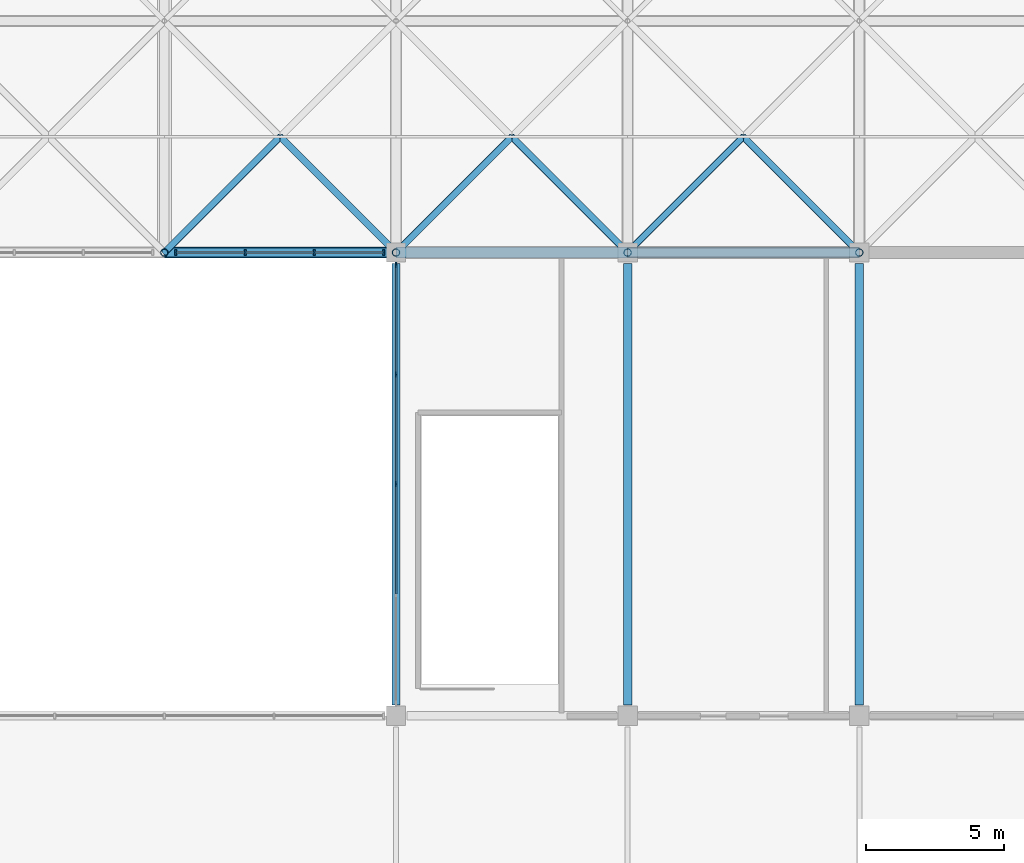
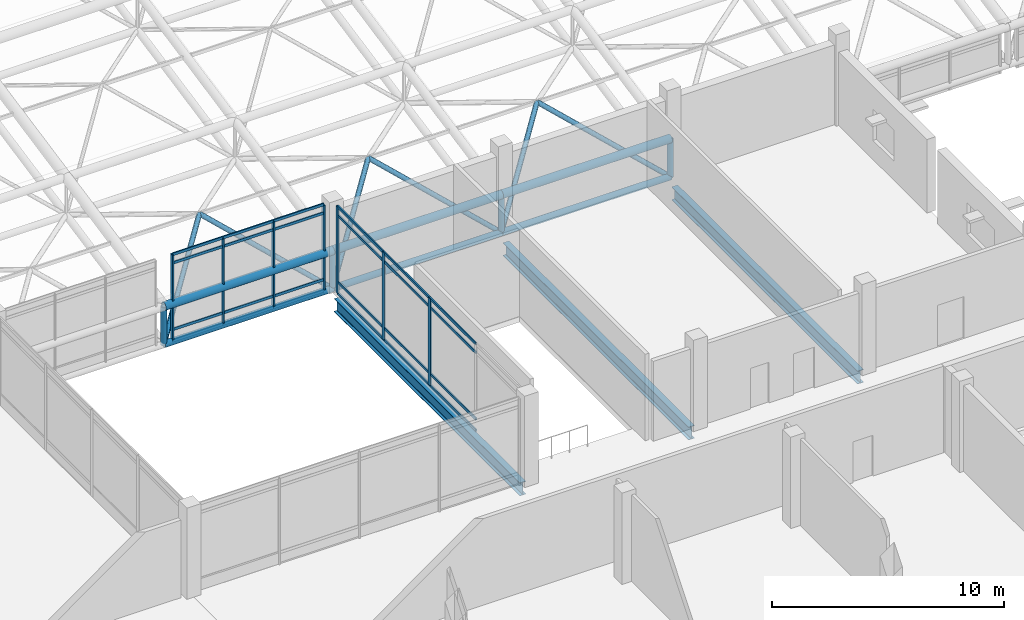
# One storey, part 26 of 110: 47 members, 3 beams, 2 elements without a shape of their own.
"""IFC4 building model written with IfcOpenShell, lengths in metres."""

import ifcopenshell
import ifcopenshell.guid

model = None  # the IFC model being written
_history = None  # IfcOwnerHistory: only IFC2X3 demands one
_inside = {}  # id of a spatial element -> (the spatial element, [elements in it])
_under = {}  # id of a project, library or spatial element -> (it, [spatial elements below it])
_declared = {}  # id of a project -> (the project, [libraries it declares])
_typed = {}  # id of a type object -> (the type object, [elements of that type])
_made_of = {}  # id of a material, layer set ... -> (it, [elements and type objects made of it])


def new_model(schema):
    """Start an empty IFC model of exactly this schema.

    Asked for "IFC4X3", IfcOpenShell would pick the latest addendum, in which some entities
    have other attributes; the version numbers below select the first issue.
    IFC2X3 requires an IfcOwnerHistory on every rooted entity: one is made here for all.
    """
    global model, _history
    if schema == "IFC4X3":
        model = ifcopenshell.file(schema_version=(4, 3, 0, 0))
    else:
        model = ifcopenshell.file(schema=schema)
    _inside.clear()
    _under.clear()
    _declared.clear()
    _typed.clear()
    _made_of.clear()
    _history = None
    if model.schema == "IFC2X3":
        org = make("IfcOrganization", Name="unknown")
        user = make(
            "IfcPersonAndOrganization",
            ThePerson=make("IfcPerson", FamilyName="unknown"),
            TheOrganization=org,
        )
        app = make(
            "IfcApplication",
            ApplicationDeveloper=org,
            Version="unknown",
            ApplicationFullName="unknown",
            ApplicationIdentifier="unknown",
        )
        _history = make(
            "IfcOwnerHistory",
            OwningUser=user,
            OwningApplication=app,
            ChangeAction="ADDED",
            CreationDate=0,
        )
    return model


def make(cls, **values):
    """One entity of the class cls with the attributes given. An attribute that is None is left unset."""
    return model.create_entity(
        cls, **{name: value for name, value in values.items() if value is not None}
    )


def rooted(cls, **values):
    """An entity with a GlobalId (a new one), such as an element, a storey or a relation."""
    return make(cls, GlobalId=ifcopenshell.guid.new(), OwnerHistory=_history, **values)


def si_unit(unit_type, name, prefix=None):
    """IfcSIUnit, for example si_unit("LENGTHUNIT", "METRE", prefix="MILLI")."""
    return make("IfcSIUnit", UnitType=unit_type, Prefix=prefix, Name=name)


def assignment(units):
    """IfcUnitAssignment: the units of a project."""
    return None if units is None else make("IfcUnitAssignment", Units=units)


def point(xyz):
    """IfcCartesianPoint."""
    return None if xyz is None else make("IfcCartesianPoint", Coordinates=xyz)


def direction(xyz):
    """IfcDirection."""
    return None if xyz is None else make("IfcDirection", DirectionRatios=xyz)


def frame(location, z_axis=None, x_axis=None):
    """IfcAxis2Placement3D, a coordinate frame: its origin and axes. An axis left out is left unset."""
    return make(
        "IfcAxis2Placement3D",
        Location=point(location),
        Axis=direction(z_axis),
        RefDirection=direction(x_axis),
    )


def frame_2d(location, x_axis=None):
    """IfcAxis2Placement2D, a coordinate frame in the plane: its origin and x axis."""
    return make(
        "IfcAxis2Placement2D", Location=point(location), RefDirection=direction(x_axis)
    )


def origin():
    """The frame at (0, 0, 0) with its axes left unset."""
    return frame((0.0, 0.0, 0.0))


def origin_2d():
    """The frame at (0, 0) in the plane with its x axis left unset."""
    return frame_2d((0.0, 0.0))


def place(relative_to, where):
    """IfcLocalPlacement: puts the frame where relative to a parent placement (None: the world)."""
    return make(
        "IfcLocalPlacement", PlacementRelTo=relative_to, RelativePlacement=where
    )


def context(
    kind, dimensions, precision=None, world=None, true_north=None, identifier=None
):
    """IfcGeometricRepresentationContext, for example the 3D "Model" context."""
    return make(
        "IfcGeometricRepresentationContext",
        ContextIdentifier=identifier,
        ContextType=kind,
        CoordinateSpaceDimension=dimensions,
        Precision=precision,
        WorldCoordinateSystem=world,
        TrueNorth=true_north,
    )


def subcontext(parent, identifier, kind, view, scale=None):
    """IfcGeometricRepresentationSubContext, for example "Body" below "Model"."""
    return make(
        "IfcGeometricRepresentationSubContext",
        ContextIdentifier=identifier,
        ContextType=kind,
        ParentContext=parent,
        TargetScale=scale,
        TargetView=view,
    )


def project(units=None, contexts=None):
    """IfcProject with its units and contexts."""
    return rooted(
        "IfcProject",
        Name="project",
        RepresentationContexts=contexts,
        UnitsInContext=assignment(units),
    )


def spatial(cls, under=None, at=None, **own):
    """A site, building, storey or space (cls), placed at a placement, below another one or the project."""
    s = rooted(cls, ObjectPlacement=at, **own)
    if under is not None:
        _under.setdefault(under.id(), (under, []))[1].append(s)
    return s


def profile(cls, at=None, kind="AREA", **sizes):
    """A parametric profile (cls). Its sizes go by their IFC names, for example OverallWidth=200.0."""
    return make(cls, ProfileType=kind, Position=at, **sizes)


def rectangle(**sizes):
    """IfcRectangleProfileDef."""
    return profile("IfcRectangleProfileDef", **sizes)


def hollow_circle(**sizes):
    """IfcCircleHollowProfileDef."""
    return profile("IfcCircleHollowProfileDef", **sizes)


def i_section(**sizes):
    """IfcIShapeProfileDef."""
    return profile("IfcIShapeProfileDef", **sizes)


def extrude(swept, where, along, depth):
    """IfcExtrudedAreaSolid: the profile swept, set in the frame where, extruded along a direction by depth."""
    return make(
        "IfcExtrudedAreaSolid",
        SweptArea=swept,
        Position=where,
        ExtrudedDirection=direction(along),
        Depth=depth,
    )


def shape(context_of_items, identifier, shape_type, items):
    """IfcShapeRepresentation: the items that make up one representation, for example the "Body"."""
    return make(
        "IfcShapeRepresentation",
        ContextOfItems=context_of_items,
        RepresentationIdentifier=identifier,
        RepresentationType=shape_type,
        Items=items,
    )


def material(Name=None, Category=None):
    """IfcMaterial."""
    return make("IfcMaterial", Name=Name, Category=Category)


def layer(
    of_material, thickness, ventilated=None, Name=None, Category=None, Priority=None
):
    """IfcMaterialLayer: one layer of a wall or slab, of a material (None: an air gap)."""
    return make(
        "IfcMaterialLayer",
        Material=of_material,
        LayerThickness=thickness,
        IsVentilated=ventilated,
        Name=Name,
        Category=Category,
        Priority=Priority,
    )


def layer_set(layers, Name=None):
    """IfcMaterialLayerSet."""
    return make("IfcMaterialLayerSet", MaterialLayers=layers, LayerSetName=Name)


def material_profile(
    of_material, cross_section, Name=None, Category=None, Priority=None
):
    """IfcMaterialProfile: a cross section and its material."""
    return make(
        "IfcMaterialProfile",
        Name=Name,
        Material=of_material,
        Profile=cross_section,
        Priority=Priority,
        Category=Category,
    )


def profile_set(profiles, Name=None, composite=None):
    """IfcMaterialProfileSet."""
    return make(
        "IfcMaterialProfileSet",
        Name=Name,
        MaterialProfiles=profiles,
        CompositeProfile=composite,
    )


def made_of(thing, what):
    """Note that an element or type object is made of a material, layer set ...; save() writes the relation."""
    if what is not None:
        _made_of.setdefault(what.id(), (what, []))[1].append(thing)
    return thing


def type_object(cls, material=None, **own):
    """A type object (cls), such as IfcWallType, which elements share."""
    return made_of(rooted(cls, **own), material)


def element(
    cls,
    number,
    at=None,
    inside=None,
    cuts=None,
    type_object=None,
    material=None,
    context=None,
    identifier="Body",
    shape_type=None,
    held_by="IfcProductDefinitionShape",
    body=None,
    shapes=None,
    **own,
):
    """One element of the class cls, such as IfcWall. Its Tag is "e" and its number.

    at: its placement. inside: the storey or other place that contains it. cuts: it is an
    opening in that element (IfcRelVoidsElement). A single representation is given by context,
    identifier, shape_type and body (its items); several are given by shapes. held_by: the class
    of the entity that holds the representations. save() writes the other relations.
    """
    e = rooted(cls, Tag="e%d" % number, ObjectPlacement=at, **own)
    if body is not None:
        shapes = [shape(context, identifier, shape_type, body)]
    if shapes is not None:
        e.Representation = make(held_by, Representations=shapes)
    if inside is not None:
        _inside.setdefault(inside.id(), (inside, []))[1].append(e)
    if cuts is not None:
        rooted(
            "IfcRelVoidsElement", RelatingBuildingElement=cuts, RelatedOpeningElement=e
        )
    if type_object is not None:
        _typed.setdefault(type_object.id(), (type_object, []))[1].append(e)
    return made_of(e, material)


def aggregate(whole, parts):
    """IfcRelAggregates: a whole, such as a stair, and the parts it consists of."""
    return rooted("IfcRelAggregates", RelatingObject=whole, RelatedObjects=parts)


def save(model, path):
    """Write the relations noted so far, then the file.

    IfcRelAggregates (storeys below a building ...), IfcRelContainedInSpatialStructure (elements
    in a storey), IfcRelDefinesByType, IfcRelAssociatesMaterial and IfcRelDeclares: one each for
    every whole, place, type object, material and project.
    """
    for whole, parts in _under.values():
        aggregate(whole, parts)
    for where, things in _inside.values():
        rooted(
            "IfcRelContainedInSpatialStructure",
            RelatedElements=things,
            RelatingStructure=where,
        )
    for kind, things in _typed.values():
        rooted("IfcRelDefinesByType", RelatedObjects=things, RelatingType=kind)
    for what, things in _made_of.values():
        rooted("IfcRelAssociatesMaterial", RelatedObjects=things, RelatingMaterial=what)
    for by, libraries in _declared.values():
        rooted("IfcRelDeclares", RelatingContext=by, RelatedDefinitions=libraries)
    model.write(path)


model = new_model("IFC4")

# Units and contexts
model_context = context("Model", 3, precision=1e-05, world=origin(), true_north=direction((0.0, 1.0)))
body_context = subcontext(model_context, "Body", "Model", "MODEL_VIEW")
ifc_project = project(units=[si_unit("LENGTHUNIT", "METRE"), si_unit("AREAUNIT", "SQUARE_METRE"), si_unit("VOLUMEUNIT", "CUBIC_METRE"), si_unit("PLANEANGLEUNIT", "RADIAN"), si_unit("MASSUNIT", "GRAM", prefix="KILO")], contexts=[model_context])

# Site, building, storey
site_placement = place(None, origin())
site = spatial("IfcSite", under=ifc_project, at=site_placement, CompositionType="ELEMENT")
building_placement = place(site_placement, origin())
building = spatial("IfcBuilding", under=site, at=building_placement, Name="Qawsi Khor Wholesale Market", CompositionType="ELEMENT")
storey_placement = place(building_placement, frame((0.0, 0.0, 11.39990234375)))
storey = spatial("IfcBuildingStorey", under=building, at=storey_placement, Name="L02", CompositionType="ELEMENT", Elevation=11.39990234375)

# Curtain wall, members
ifc_material_1 = material(Name="Aluminium Anodised Bronze", Category="aluminium")
ifc_layer = layer(ifc_material_1, 0.179931640625, Name="Aluminium Anodised Bronze")
ifc_layer_set = layer_set([ifc_layer], Name="Aluminium Anodised Bronze")
curtain_wall_type = type_object("IfcCurtainWallType", Name="Atrium Full-Height Curtain Wall CW-02", PredefinedType="NOTDEFINED", material=ifc_layer_set)
curtain_wall_1_placement = place(storey_placement, origin())
curtain_wall_1 = element("IfcCurtainWall", 1, at=curtain_wall_1_placement, inside=storey, type_object=curtain_wall_type, Name="Curtain wall CW-CW-02-L02-043", PredefinedType="NOTDEFINED")
ifc_material_profile_1 = material_profile(ifc_material_1, rectangle(XDim=0.070068359375, YDim=0.199951171875, at=origin_2d()), Name="ALU MULLION 70x200")
ifc_profile_set_1 = profile_set([ifc_material_profile_1], Name="Aluminium Anodised Bronze")
member_type_1 = type_object("IfcMemberType", Name="Curtain Wall Mullion CW-02 ALU MULLION 70x200", PredefinedType="MULLION", material=ifc_profile_set_1)
member_1_placement = place(storey_placement, frame((160.02001953125, 42.0, -0.02001953125), z_axis=(0.0, 0.0, 1.0), x_axis=(1.0, 0.0, 0.0)))
member_1 = element("IfcMember", 2, at=member_1_placement, type_object=member_type_1, Name="Mullion CW-CW-02-L02-043-M00", PredefinedType="MULLION", context=body_context, shape_type="SweptSolid", body=[
    extrude(rectangle(XDim=0.070068359375, YDim=0.199951171875, at=origin_2d()), origin(), (0.0, 0.0, 1.0), 4.570068359375),
])
member_2_placement = place(storey_placement, frame((162.53173828125, 42.0, -0.02001953125), z_axis=(0.0, 0.0, 1.0), x_axis=(1.0, 0.0, 0.0)))
member_2 = element("IfcMember", 3, at=member_2_placement, type_object=member_type_1, Name="Mullion CW-CW-02-L02-043-M01", PredefinedType="MULLION", context=body_context, shape_type="SweptSolid", body=[
    extrude(rectangle(XDim=0.070068359375, YDim=0.199951171875, at=origin_2d()), origin(), (0.0, 0.0, 1.0), 4.570068359375),
])
member_3_placement = place(storey_placement, frame((165.043212890625, 42.0, -0.02001953125), z_axis=(0.0, 0.0, 1.0), x_axis=(1.0, 0.0, 0.0)))
member_3 = element("IfcMember", 4, at=member_3_placement, type_object=member_type_1, Name="Mullion CW-CW-02-L02-043-M02", PredefinedType="MULLION", context=body_context, shape_type="SweptSolid", body=[
    extrude(rectangle(XDim=0.070068359375, YDim=0.199951171875, at=origin_2d()), origin(), (0.0, 0.0, 1.0), 4.570068359375),
])
member_4_placement = place(storey_placement, frame((167.554931640625, 42.0, -0.02001953125), z_axis=(0.0, 0.0, 1.0), x_axis=(1.0, 0.0, 0.0)))
member_4 = element("IfcMember", 5, at=member_4_placement, type_object=member_type_1, Name="Mullion CW-CW-02-L02-043-M03", PredefinedType="MULLION", context=body_context, shape_type="SweptSolid", body=[
    extrude(rectangle(XDim=0.070068359375, YDim=0.199951171875, at=origin_2d()), origin(), (0.0, 0.0, 1.0), 4.570068359375),
])

curtain_wall_2_placement = place(storey_placement, origin())
curtain_wall_2 = element("IfcCurtainWall", 6, at=curtain_wall_2_placement, inside=storey, type_object=curtain_wall_type, Name="Curtain wall CW-CW-02-L02-045", PredefinedType="NOTDEFINED")
member_5_placement = place(storey_placement, frame((168.0, 33.60009765625, -0.02001953125), z_axis=(0.0, 0.0, 1.0), x_axis=(1.0, 0.0, 0.0)))
member_5 = element("IfcMember", 7, at=member_5_placement, type_object=member_type_1, Name="Mullion CW-CW-02-L02-045-M02", PredefinedType="MULLION", context=body_context, shape_type="SweptSolid", body=[
    extrude(rectangle(XDim=0.070068359375, YDim=0.199951171875, at=origin_2d()), origin(), (0.0, 0.0, 1.0), 4.570068359375),
])
member_6_placement = place(storey_placement, frame((168.0, 37.577392578125, -0.02001953125), z_axis=(0.0, 0.0, 1.0), x_axis=(1.0, 0.0, 0.0)))
member_6 = element("IfcMember", 8, at=member_6_placement, type_object=member_type_1, Name="Mullion CW-CW-02-L02-045-M03", PredefinedType="MULLION", context=body_context, shape_type="SweptSolid", body=[
    extrude(rectangle(XDim=0.070068359375, YDim=0.199951171875, at=origin_2d()), origin(), (0.0, 0.0, 1.0), 4.570068359375),
])
member_7_placement = place(storey_placement, frame((168.0, 41.554931640625, -0.02001953125), z_axis=(0.0, 0.0, 1.0), x_axis=(1.0, 0.0, 0.0)))
member_7 = element("IfcMember", 9, at=member_7_placement, type_object=member_type_1, Name="Mullion CW-CW-02-L02-045-M04", PredefinedType="MULLION", context=body_context, shape_type="SweptSolid", body=[
    extrude(rectangle(XDim=0.070068359375, YDim=0.199951171875, at=origin_2d()), origin(), (0.0, 0.0, 1.0), 4.570068359375),
])

# Member
ifc_material_profile_2 = material_profile(ifc_material_1, rectangle(XDim=0.06494140625, YDim=0.139892578125, at=origin_2d()), Name="ALU TRANSOM 65x140")
ifc_profile_set_2 = profile_set([ifc_material_profile_2], Name="Aluminium Anodised Bronze")
member_type_2 = type_object("IfcMemberType", Name="Curtain Wall Transom CW-02 ALU TRANSOM 65x140", PredefinedType="USERDEFINED", material=ifc_profile_set_2)
member_8_placement = place(storey_placement, frame((160.02001953125, 42.0, 0.0), z_axis=(1.0, 0.0, 0.0), x_axis=(0.0, 1.0, 0.0)))
member_8 = element("IfcMember", 10, at=member_8_placement, type_object=member_type_2, Name="Transom CW-CW-02-L02-043-T0_00", ObjectType="TRANSOM", PredefinedType="USERDEFINED", context=body_context, shape_type="SweptSolid", body=[
    extrude(rectangle(XDim=0.06494140625, YDim=0.139892578125, at=origin_2d()), origin(), (0.0, 0.0, 1.0), 2.51171875),
])

member_9_placement = place(storey_placement, frame((162.53173828125, 42.0, 0.0), z_axis=(1.0, 0.0, 0.0), x_axis=(0.0, 1.0, 0.0)))
member_9 = element("IfcMember", 11, at=member_9_placement, type_object=member_type_2, Name="Transom CW-CW-02-L02-043-T0_01", ObjectType="TRANSOM", PredefinedType="USERDEFINED", context=body_context, shape_type="SweptSolid", body=[
    extrude(rectangle(XDim=0.06494140625, YDim=0.139892578125, at=origin_2d()), origin(), (0.0, 0.0, 1.0), 2.511474609375),
])

member_10_placement = place(storey_placement, frame((165.043212890625, 42.0, 0.0), z_axis=(1.0, 0.0, 0.0), x_axis=(0.0, 1.0, 0.0)))
member_10 = element("IfcMember", 12, at=member_10_placement, type_object=member_type_2, Name="Transom CW-CW-02-L02-043-T0_02", ObjectType="TRANSOM", PredefinedType="USERDEFINED", context=body_context, shape_type="SweptSolid", body=[
    extrude(rectangle(XDim=0.06494140625, YDim=0.139892578125, at=origin_2d()), origin(), (0.0, 0.0, 1.0), 2.51171875),
])

member_11_placement = place(storey_placement, frame((160.02001953125, 42.0, 0.60009765625), z_axis=(1.0, 0.0, 0.0), x_axis=(0.0, 1.0, 0.0)))
member_11 = element("IfcMember", 13, at=member_11_placement, type_object=member_type_2, Name="Transom CW-CW-02-L02-043-T1_00", ObjectType="TRANSOM", PredefinedType="USERDEFINED", context=body_context, shape_type="SweptSolid", body=[
    extrude(rectangle(XDim=0.06494140625, YDim=0.139892578125, at=origin_2d()), origin(), (0.0, 0.0, 1.0), 2.51171875),
])

member_12_placement = place(storey_placement, frame((162.53173828125, 42.0, 0.60009765625), z_axis=(1.0, 0.0, 0.0), x_axis=(0.0, 1.0, 0.0)))
member_12 = element("IfcMember", 14, at=member_12_placement, type_object=member_type_2, Name="Transom CW-CW-02-L02-043-T1_01", ObjectType="TRANSOM", PredefinedType="USERDEFINED", context=body_context, shape_type="SweptSolid", body=[
    extrude(rectangle(XDim=0.06494140625, YDim=0.139892578125, at=origin_2d()), origin(), (0.0, 0.0, 1.0), 2.511474609375),
])

member_13_placement = place(storey_placement, frame((165.043212890625, 42.0, 0.60009765625), z_axis=(1.0, 0.0, 0.0), x_axis=(0.0, 1.0, 0.0)))
member_13 = element("IfcMember", 15, at=member_13_placement, type_object=member_type_2, Name="Transom CW-CW-02-L02-043-T1_02", ObjectType="TRANSOM", PredefinedType="USERDEFINED", context=body_context, shape_type="SweptSolid", body=[
    extrude(rectangle(XDim=0.06494140625, YDim=0.139892578125, at=origin_2d()), origin(), (0.0, 0.0, 1.0), 2.51171875),
])

member_14_placement = place(storey_placement, frame((160.02001953125, 42.0, 4.10009765625), z_axis=(1.0, 0.0, 0.0), x_axis=(0.0, 1.0, 0.0)))
member_14 = element("IfcMember", 16, at=member_14_placement, type_object=member_type_2, Name="Transom CW-CW-02-L02-043-T2_00", ObjectType="TRANSOM", PredefinedType="USERDEFINED", context=body_context, shape_type="SweptSolid", body=[
    extrude(rectangle(XDim=0.06494140625, YDim=0.139892578125, at=origin_2d()), origin(), (0.0, 0.0, 1.0), 2.51171875),
])

member_15_placement = place(storey_placement, frame((162.53173828125, 42.0, 4.10009765625), z_axis=(1.0, 0.0, 0.0), x_axis=(0.0, 1.0, 0.0)))
member_15 = element("IfcMember", 17, at=member_15_placement, type_object=member_type_2, Name="Transom CW-CW-02-L02-043-T2_01", ObjectType="TRANSOM", PredefinedType="USERDEFINED", context=body_context, shape_type="SweptSolid", body=[
    extrude(rectangle(XDim=0.06494140625, YDim=0.139892578125, at=origin_2d()), origin(), (0.0, 0.0, 1.0), 2.511474609375),
])

member_16_placement = place(storey_placement, frame((165.043212890625, 42.0, 4.10009765625), z_axis=(1.0, 0.0, 0.0), x_axis=(0.0, 1.0, 0.0)))
member_16 = element("IfcMember", 18, at=member_16_placement, type_object=member_type_2, Name="Transom CW-CW-02-L02-043-T2_02", ObjectType="TRANSOM", PredefinedType="USERDEFINED", context=body_context, shape_type="SweptSolid", body=[
    extrude(rectangle(XDim=0.06494140625, YDim=0.139892578125, at=origin_2d()), origin(), (0.0, 0.0, 1.0), 2.51171875),
])

member_17_placement = place(storey_placement, frame((160.02001953125, 42.0, 4.550048828125), z_axis=(1.0, 0.0, 0.0), x_axis=(0.0, 1.0, 0.0)))
member_17 = element("IfcMember", 19, at=member_17_placement, type_object=member_type_2, Name="Transom CW-CW-02-L02-043-T3_00", ObjectType="TRANSOM", PredefinedType="USERDEFINED", context=body_context, shape_type="SweptSolid", body=[
    extrude(rectangle(XDim=0.06494140625, YDim=0.139892578125, at=origin_2d()), origin(), (0.0, 0.0, 1.0), 2.51171875),
])

member_18_placement = place(storey_placement, frame((162.53173828125, 42.0, 4.550048828125), z_axis=(1.0, 0.0, 0.0), x_axis=(0.0, 1.0, 0.0)))
member_18 = element("IfcMember", 20, at=member_18_placement, type_object=member_type_2, Name="Transom CW-CW-02-L02-043-T3_01", ObjectType="TRANSOM", PredefinedType="USERDEFINED", context=body_context, shape_type="SweptSolid", body=[
    extrude(rectangle(XDim=0.06494140625, YDim=0.139892578125, at=origin_2d()), origin(), (0.0, 0.0, 1.0), 2.511474609375),
])

member_19_placement = place(storey_placement, frame((165.043212890625, 42.0, 4.550048828125), z_axis=(1.0, 0.0, 0.0), x_axis=(0.0, 1.0, 0.0)))
member_19 = element("IfcMember", 21, at=member_19_placement, type_object=member_type_2, Name="Transom CW-CW-02-L02-043-T3_02", ObjectType="TRANSOM", PredefinedType="USERDEFINED", context=body_context, shape_type="SweptSolid", body=[
    extrude(rectangle(XDim=0.06494140625, YDim=0.139892578125, at=origin_2d()), origin(), (0.0, 0.0, 1.0), 2.51171875),
])

aggregate(curtain_wall_1, [member_1, member_2, member_3, member_4, member_8, member_9, member_10, member_11, member_12, member_13, member_14, member_15, member_16, member_17, member_18, member_19])

member_20_placement = place(storey_placement, frame((168.0, 29.62255859375, 0.0), z_axis=(0.0, 1.0, 0.0), x_axis=(-1.0, 0.0, 0.0)))
member_20 = element("IfcMember", 22, at=member_20_placement, type_object=member_type_2, Name="Transom CW-CW-02-L02-045-T0_01", ObjectType="TRANSOM", PredefinedType="USERDEFINED", context=body_context, shape_type="SweptSolid", body=[
    extrude(rectangle(XDim=0.06494140625, YDim=0.139892578125, at=origin_2d()), origin(), (0.0, 0.0, 1.0), 3.9775390625),
])

member_21_placement = place(storey_placement, frame((168.0, 33.60009765625, 0.0), z_axis=(0.0, 1.0, 0.0), x_axis=(-1.0, 0.0, 0.0)))
member_21 = element("IfcMember", 23, at=member_21_placement, type_object=member_type_2, Name="Transom CW-CW-02-L02-045-T0_02", ObjectType="TRANSOM", PredefinedType="USERDEFINED", context=body_context, shape_type="SweptSolid", body=[
    extrude(rectangle(XDim=0.06494140625, YDim=0.139892578125, at=origin_2d()), origin(), (0.0, 0.0, 1.0), 3.977294921875),
])

member_22_placement = place(storey_placement, frame((168.0, 37.577392578125, 0.0), z_axis=(0.0, 1.0, 0.0), x_axis=(-1.0, 0.0, 0.0)))
member_22 = element("IfcMember", 24, at=member_22_placement, type_object=member_type_2, Name="Transom CW-CW-02-L02-045-T0_03", ObjectType="TRANSOM", PredefinedType="USERDEFINED", context=body_context, shape_type="SweptSolid", body=[
    extrude(rectangle(XDim=0.06494140625, YDim=0.139892578125, at=origin_2d()), origin(), (0.0, 0.0, 1.0), 3.9775390625),
])

member_23_placement = place(storey_placement, frame((168.0, 29.62255859375, 0.60009765625), z_axis=(0.0, 1.0, 0.0), x_axis=(-1.0, 0.0, 0.0)))
member_23 = element("IfcMember", 25, at=member_23_placement, type_object=member_type_2, Name="Transom CW-CW-02-L02-045-T1_01", ObjectType="TRANSOM", PredefinedType="USERDEFINED", context=body_context, shape_type="SweptSolid", body=[
    extrude(rectangle(XDim=0.06494140625, YDim=0.139892578125, at=origin_2d()), origin(), (0.0, 0.0, 1.0), 3.9775390625),
])

member_24_placement = place(storey_placement, frame((168.0, 33.60009765625, 0.60009765625), z_axis=(0.0, 1.0, 0.0), x_axis=(-1.0, 0.0, 0.0)))
member_24 = element("IfcMember", 26, at=member_24_placement, type_object=member_type_2, Name="Transom CW-CW-02-L02-045-T1_02", ObjectType="TRANSOM", PredefinedType="USERDEFINED", context=body_context, shape_type="SweptSolid", body=[
    extrude(rectangle(XDim=0.06494140625, YDim=0.139892578125, at=origin_2d()), origin(), (0.0, 0.0, 1.0), 3.977294921875),
])

member_25_placement = place(storey_placement, frame((168.0, 37.577392578125, 0.60009765625), z_axis=(0.0, 1.0, 0.0), x_axis=(-1.0, 0.0, 0.0)))
member_25 = element("IfcMember", 27, at=member_25_placement, type_object=member_type_2, Name="Transom CW-CW-02-L02-045-T1_03", ObjectType="TRANSOM", PredefinedType="USERDEFINED", context=body_context, shape_type="SweptSolid", body=[
    extrude(rectangle(XDim=0.06494140625, YDim=0.139892578125, at=origin_2d()), origin(), (0.0, 0.0, 1.0), 3.9775390625),
])

member_26_placement = place(storey_placement, frame((168.0, 29.62255859375, 4.10009765625), z_axis=(0.0, 1.0, 0.0), x_axis=(-1.0, 0.0, 0.0)))
member_26 = element("IfcMember", 28, at=member_26_placement, type_object=member_type_2, Name="Transom CW-CW-02-L02-045-T2_01", ObjectType="TRANSOM", PredefinedType="USERDEFINED", context=body_context, shape_type="SweptSolid", body=[
    extrude(rectangle(XDim=0.06494140625, YDim=0.139892578125, at=origin_2d()), origin(), (0.0, 0.0, 1.0), 3.9775390625),
])

member_27_placement = place(storey_placement, frame((168.0, 33.60009765625, 4.10009765625), z_axis=(0.0, 1.0, 0.0), x_axis=(-1.0, 0.0, 0.0)))
member_27 = element("IfcMember", 29, at=member_27_placement, type_object=member_type_2, Name="Transom CW-CW-02-L02-045-T2_02", ObjectType="TRANSOM", PredefinedType="USERDEFINED", context=body_context, shape_type="SweptSolid", body=[
    extrude(rectangle(XDim=0.06494140625, YDim=0.139892578125, at=origin_2d()), origin(), (0.0, 0.0, 1.0), 3.977294921875),
])

member_28_placement = place(storey_placement, frame((168.0, 37.577392578125, 4.10009765625), z_axis=(0.0, 1.0, 0.0), x_axis=(-1.0, 0.0, 0.0)))
member_28 = element("IfcMember", 30, at=member_28_placement, type_object=member_type_2, Name="Transom CW-CW-02-L02-045-T2_03", ObjectType="TRANSOM", PredefinedType="USERDEFINED", context=body_context, shape_type="SweptSolid", body=[
    extrude(rectangle(XDim=0.06494140625, YDim=0.139892578125, at=origin_2d()), origin(), (0.0, 0.0, 1.0), 3.9775390625),
])

member_29_placement = place(storey_placement, frame((168.0, 29.62255859375, 4.550048828125), z_axis=(0.0, 1.0, 0.0), x_axis=(-1.0, 0.0, 0.0)))
member_29 = element("IfcMember", 31, at=member_29_placement, type_object=member_type_2, Name="Transom CW-CW-02-L02-045-T3_01", ObjectType="TRANSOM", PredefinedType="USERDEFINED", context=body_context, shape_type="SweptSolid", body=[
    extrude(rectangle(XDim=0.06494140625, YDim=0.139892578125, at=origin_2d()), origin(), (0.0, 0.0, 1.0), 3.9775390625),
])

member_30_placement = place(storey_placement, frame((168.0, 33.60009765625, 4.550048828125), z_axis=(0.0, 1.0, 0.0), x_axis=(-1.0, 0.0, 0.0)))
member_30 = element("IfcMember", 32, at=member_30_placement, type_object=member_type_2, Name="Transom CW-CW-02-L02-045-T3_02", ObjectType="TRANSOM", PredefinedType="USERDEFINED", context=body_context, shape_type="SweptSolid", body=[
    extrude(rectangle(XDim=0.06494140625, YDim=0.139892578125, at=origin_2d()), origin(), (0.0, 0.0, 1.0), 3.977294921875),
])

member_31_placement = place(storey_placement, frame((168.0, 37.577392578125, 4.550048828125), z_axis=(0.0, 1.0, 0.0), x_axis=(-1.0, 0.0, 0.0)))
member_31 = element("IfcMember", 33, at=member_31_placement, type_object=member_type_2, Name="Transom CW-CW-02-L02-045-T3_03", ObjectType="TRANSOM", PredefinedType="USERDEFINED", context=body_context, shape_type="SweptSolid", body=[
    extrude(rectangle(XDim=0.06494140625, YDim=0.139892578125, at=origin_2d()), origin(), (0.0, 0.0, 1.0), 3.9775390625),
])

aggregate(curtain_wall_2, [member_5, member_6, member_7, member_20, member_21, member_22, member_23, member_24, member_25, member_26, member_27, member_28, member_29, member_30, member_31])

# Beams
ifc_material_2 = material(Name="Steel S355", Category="steel")
ifc_material_profile_3 = material_profile(ifc_material_2, i_section(OverallWidth=0.300048828125, OverallDepth=0.68994140625, WebThickness=0.014404296875, FlangeThickness=0.027099609375, FilletRadius=0.027099609375, at=origin_2d()), Name="HEA 700")
ifc_profile_set_3 = profile_set([ifc_material_profile_3], Name="Steel S355")
beam_type = type_object("IfcBeamType", Name="Primary Girder HEA 700", PredefinedType="BEAM", material=ifc_profile_set_3)
for number, where, z_axis, x_axis, name in (
    (34, (168.0, 25.60009765625, -0.625), (0.0, 1.0, 0.0), (-1.0, 0.0, 0.0), "BM-YL-L02-20_+03"),
    (35, (176.39990234375, 25.60009765625, -0.625), (0.0, 1.0, 0.0), (-1.0, 0.0, 0.0), "BM-YL-L02-21_+03"),
    (36, (184.800048828125, 25.60009765625, -0.625), (0.0, 1.0, 0.0), (-1.0, 0.0, 0.0), "BM-YL-L02-22_+03"),
):
    element("IfcBeam", number, at=place(storey_placement, frame(where, z_axis=z_axis, x_axis=x_axis)), inside=storey, type_object=beam_type, Name=name, PredefinedType="BEAM", context=body_context, shape_type="SweptSolid", body=[
        extrude(i_section(OverallWidth=0.300048828125, OverallDepth=0.68994140625, WebThickness=0.014404296875, FlangeThickness=0.027099609375, FilletRadius=0.027099609375, at=origin_2d()), origin(), (0.0, 0.0, 1.0), 16.0),
    ])

# Members
ifc_material_profile_4 = material_profile(ifc_material_2, hollow_circle(Radius=0.136474609375, WallThickness=0.012451171875, at=origin_2d()), Name="CHS 273.0x12.5")
ifc_profile_set_4 = profile_set([ifc_material_profile_4], Name="Steel S355")
member_type_3 = type_object("IfcMemberType", Name="Space-Frame Edge Post CHS 273.0x12.5", PredefinedType="POST", material=ifc_profile_set_4)
for number, where, z_axis, x_axis, name in (
    (37, (159.60009765625, 42.0, -0.02978515625), (0.0, 0.0, 1.0), (1.0, 0.0, 0.0), "Space frame post EH (19,5)"),
    (38, (168.0, 42.0, -0.02978515625), (0.0, 0.0, 1.0), (1.0, 0.0, 0.0), "Space frame post EH (20,5)"),
    (39, (176.39990234375, 42.0, -0.02978515625), (0.0, 0.0, 1.0), (1.0, 0.0, 0.0), "Space frame post EH (21,5)"),
    (40, (184.800048828125, 42.0, -0.02978515625), (0.0, 0.0, 1.0), (1.0, 0.0, 0.0), "Space frame post EH (22,5)"),
):
    element("IfcMember", number, at=place(storey_placement, frame(where, z_axis=z_axis, x_axis=x_axis)), inside=storey, type_object=member_type_3, Name=name, PredefinedType="POST", context=body_context, shape_type="SweptSolid", body=[
        extrude(hollow_circle(Radius=0.136474609375, WallThickness=0.012451171875, at=origin_2d()), origin(), (0.0, 0.0, 1.0), 2.0),
    ])
ifc_material_profile_5 = material_profile(ifc_material_2, hollow_circle(Radius=0.122314453125, WallThickness=0.012451171875, at=origin_2d()), Name="CHS 244.5x12.5")
ifc_profile_set_5 = profile_set([ifc_material_profile_5], Name="Steel S355")
member_type_4 = type_object("IfcMemberType", Name="Space-Frame Heavy Diagonal CHS 244.5x12.5", PredefinedType="POST", material=ifc_profile_set_5)
for number, where, z_axis, x_axis, name in (
    (41, (159.60009765625, 42.0, -0.02978515625), (0.637521961484, 0.637521961484, 0.432586982294), (-0.707106781187, 0.707106781187, 0.0), "Space frame diagonal EH (19,5)-1"),
    (42, (168.0, 42.0, -0.02978515625), (-0.637521961484, 0.637521961484, 0.432586982294), (-0.707106781187, -0.707106781187, 0.0), "Space frame diagonal EH (19,5)-2"),
    (43, (168.0, 42.0, -0.02978515625), (0.637521961484, 0.637521961484, 0.432586982294), (-0.707106781187, 0.707106781187, 0.0), "Space frame diagonal EH (20,5)-1"),
    (44, (176.39990234375, 42.0, -0.02978515625), (-0.637521961484, 0.637521961484, 0.432586982294), (-0.707106781187, -0.707106781187, 0.0), "Space frame diagonal EH (20,5)-2"),
):
    element("IfcMember", number, at=place(storey_placement, frame(where, z_axis=z_axis, x_axis=x_axis)), inside=storey, type_object=member_type_4, Name=name, PredefinedType="POST", context=body_context, shape_type="SweptSolid", body=[
        extrude(hollow_circle(Radius=0.122314453125, WallThickness=0.012451171875, at=origin_2d()), origin(), (0.0, 0.0, 1.0), 6.587890625),
    ])
member_32_placement = place(storey_placement, frame((176.39990234375, 42.0, -0.02978515625), z_axis=(0.637543957519, 0.637506899628, 0.432576762155), x_axis=(-0.70708622964, 0.707127332136, 0.0)))
element("IfcMember", 45, at=member_32_placement, inside=storey, type_object=member_type_4, Name="Space frame diagonal EH (21,5)-1", PredefinedType="POST", context=body_context, shape_type="SweptSolid", body=[
    extrude(hollow_circle(Radius=0.122314453125, WallThickness=0.012451171875, at=origin_2d()), origin(), (0.0, 0.0, 1.0), 6.588134765625),
])
member_33_placement = place(storey_placement, frame((184.800048828125, 42.0, -0.02978515625), z_axis=(-0.637521961484, 0.637521961484, 0.432586982294), x_axis=(-0.707106781187, -0.707106781187, 0.0)))
element("IfcMember", 46, at=member_33_placement, inside=storey, type_object=member_type_4, Name="Space frame diagonal EH (21,5)-2", PredefinedType="POST", context=body_context, shape_type="SweptSolid", body=[
    extrude(hollow_circle(Radius=0.122314453125, WallThickness=0.012451171875, at=origin_2d()), origin(), (0.0, 0.0, 1.0), 6.587890625),
])
ifc_material_profile_6 = material_profile(ifc_material_2, hollow_circle(Radius=0.161865234375, WallThickness=0.01611328125, at=origin_2d()), Name="CHS 323.9x16.0")
ifc_profile_set_6 = profile_set([ifc_material_profile_6], Name="Steel S355")
member_type_5 = type_object("IfcMemberType", Name="Space-Frame Secondary Chord CHS 323.9x16.0", PredefinedType="CHORD", material=ifc_profile_set_6)
for number, where, z_axis, x_axis, name in (
    (47, (159.60009765625, 42.0, -0.02978515625), (1.0, 0.0, 0.0), (0.0, 1.0, 0.0), "Space frame bottom chord X EH (19,5)"),
    (48, (168.0, 42.0, -0.02978515625), (1.0, 0.0, 0.0), (0.0, 1.0, 0.0), "Space frame bottom chord X EH (20,5)"),
):
    element("IfcMember", number, at=place(storey_placement, frame(where, z_axis=z_axis, x_axis=x_axis)), inside=storey, type_object=member_type_5, Name=name, PredefinedType="CHORD", context=body_context, shape_type="SweptSolid", body=[
        extrude(hollow_circle(Radius=0.161865234375, WallThickness=0.01611328125, at=origin_2d()), origin(), (0.0, 0.0, 1.0), 8.39990234375),
    ])
member_34_placement = place(storey_placement, frame((176.39990234375, 42.0, -0.02978515625), z_axis=(1.0, 0.0, 0.0), x_axis=(0.0, 1.0, 0.0)))
element("IfcMember", 49, at=member_34_placement, inside=storey, type_object=member_type_5, Name="Space frame bottom chord X EH (21,5)", PredefinedType="CHORD", context=body_context, shape_type="SweptSolid", body=[
    extrude(hollow_circle(Radius=0.161865234375, WallThickness=0.01611328125, at=origin_2d()), origin(), (0.0, 0.0, 1.0), 8.400146484375),
])
ifc_material_profile_7 = material_profile(ifc_material_2, hollow_circle(Radius=0.203125, WallThickness=0.02001953125, at=origin_2d()), Name="CHS 406.4x20.0")
ifc_profile_set_7 = profile_set([ifc_material_profile_7], Name="Steel S355")
member_type_6 = type_object("IfcMemberType", Name="Space-Frame Top Chord CHS 406.4x20.0", PredefinedType="CHORD", material=ifc_profile_set_7)
for number, where, z_axis, x_axis, name in (
    (50, (159.60009765625, 42.0, 1.97021484375), (1.0, 0.0, 0.0), (0.0, 1.0, 0.0), "Space frame top chord X EH (19,5)"),
    (51, (168.0, 42.0, 1.97021484375), (1.0, 0.0, 0.0), (0.0, 1.0, 0.0), "Space frame top chord X EH (20,5)"),
):
    element("IfcMember", number, at=place(storey_placement, frame(where, z_axis=z_axis, x_axis=x_axis)), inside=storey, type_object=member_type_6, Name=name, PredefinedType="CHORD", context=body_context, shape_type="SweptSolid", body=[
        extrude(hollow_circle(Radius=0.203125, WallThickness=0.02001953125, at=origin_2d()), origin(), (0.0, 0.0, 1.0), 8.39990234375),
    ])
member_35_placement = place(storey_placement, frame((176.39990234375, 42.0, 1.97021484375), z_axis=(1.0, 0.0, 0.0), x_axis=(0.0, 1.0, 0.0)))
element("IfcMember", 52, at=member_35_placement, inside=storey, type_object=member_type_6, Name="Space frame top chord X EH (21,5)", PredefinedType="CHORD", context=body_context, shape_type="SweptSolid", body=[
    extrude(hollow_circle(Radius=0.203125, WallThickness=0.02001953125, at=origin_2d()), origin(), (0.0, 0.0, 1.0), 8.400146484375),
])

save(model, "model.ifc")
